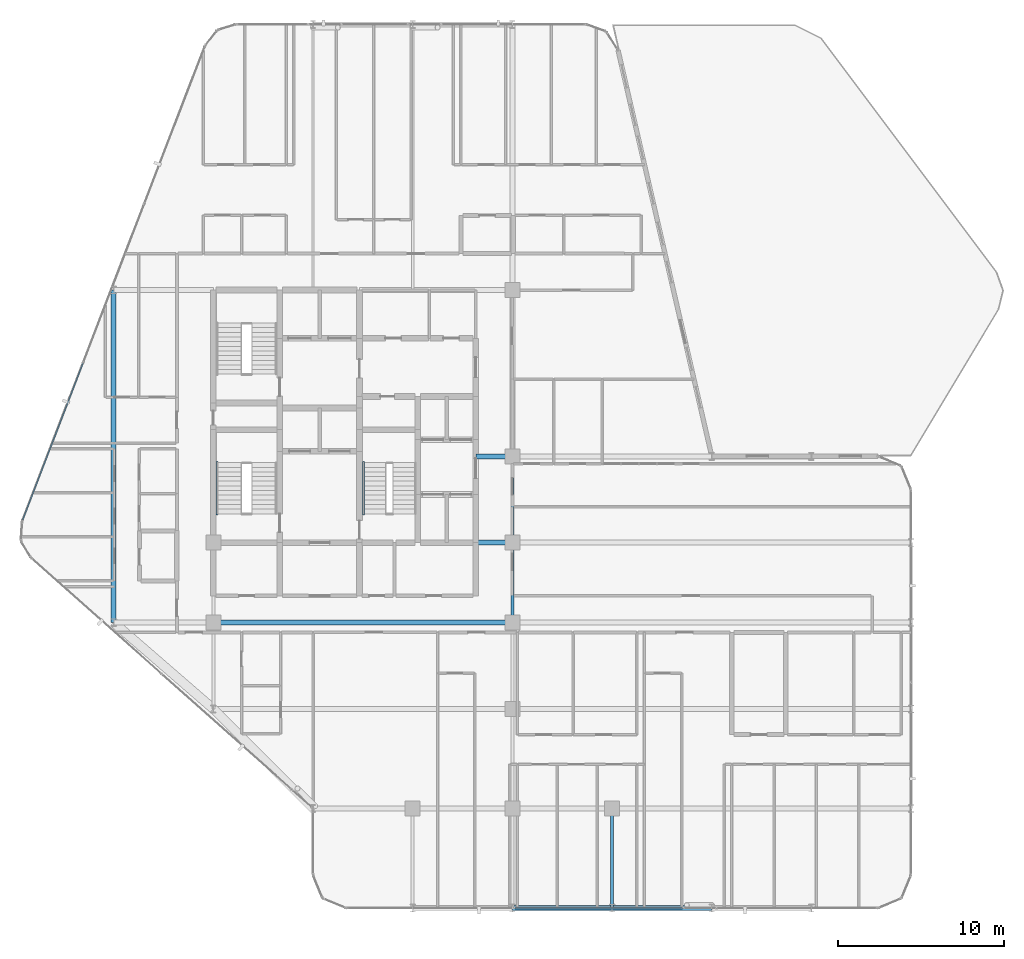
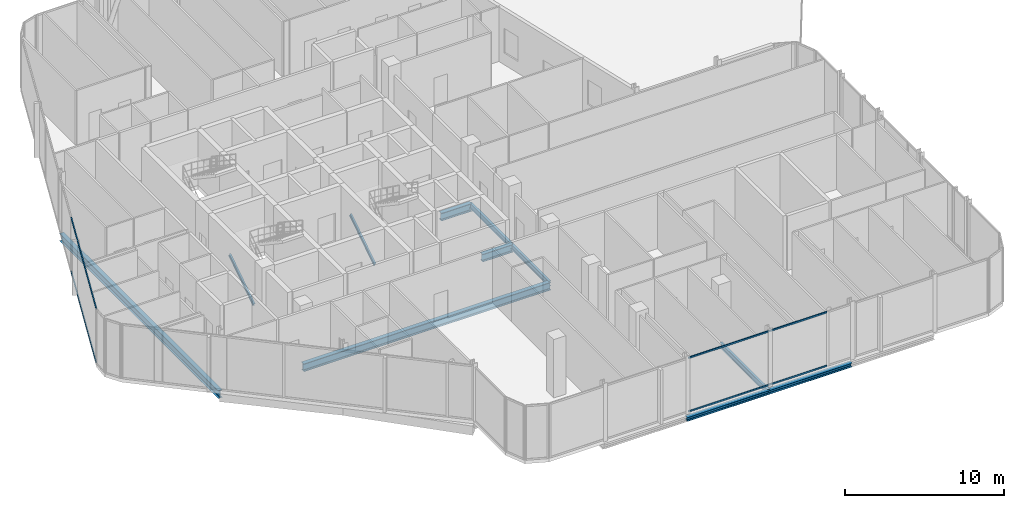
# One storey, part 9 of 28: 9 beams, 6 members, 2 elements without a shape of their own.
"""IFC4 building model written with IfcOpenShell, lengths in metres."""

from ifc_helpers import new_model, si_unit, direction, frame, origin, origin_2d, place, context, subcontext, project, spatial, hollow_rectangle, i_section, extrude, material, layer, layer_set, material_profile, profile_set, type_object, element, aggregate, save


model = new_model("IFC4")

# Units and contexts
model_context = context("Model", 3, precision=1e-05, world=origin(), true_north=direction((0.0, 1.0)))
body_context = subcontext(model_context, "Body", "Model", "MODEL_VIEW")
ifc_project = project(units=[si_unit("LENGTHUNIT", "METRE"), si_unit("AREAUNIT", "SQUARE_METRE"), si_unit("VOLUMEUNIT", "CUBIC_METRE"), si_unit("PLANEANGLEUNIT", "RADIAN"), si_unit("MASSUNIT", "GRAM", prefix="KILO")], contexts=[model_context])

# Site, building, storey
site_placement = place(None, origin())
site = spatial("IfcSite", under=ifc_project, at=site_placement, CompositionType="ELEMENT")
building_placement = place(site_placement, origin())
building = spatial("IfcBuilding", under=site, at=building_placement, Name="Keshet Zoharim Tower", CompositionType="ELEMENT")
storey_placement = place(building_placement, frame((0.0, 0.0, 164.60009765625)))
storey = spatial("IfcBuildingStorey", under=building, at=storey_placement, Name="L40", CompositionType="ELEMENT", Elevation=164.60009765625)

# Beams
ifc_material_1 = material(Name="Steel S355", Category="steel")
ifc_material_profile_1 = material_profile(ifc_material_1, i_section(OverallWidth=0.300048828125, OverallDepth=0.60009765625, WebThickness=0.015380859375, FlangeThickness=0.030029296875, FilletRadius=0.027099609375, at=origin_2d()), Name="HEB600")
ifc_profile_set_1 = profile_set([ifc_material_profile_1], Name="Steel S355")
beam_type_1 = type_object("IfcBeamType", Name="BM-CLK-HB600", PredefinedType="BEAM", material=ifc_profile_set_1)
for number, where, z_axis, x_axis, name in (
    (1, (30.800048828125, 22.699951171875, -0.610107421875), (1.0, 0.0, 0.0), (0.0, 1.0, 0.0), "L40 Core Wall Link Girder 01"),
    (2, (30.800048828125, 27.89990234375, -0.610107421875), (1.0, 0.0, 0.0), (0.0, 1.0, 0.0), "L40 Core Wall Link Girder 02"),
):
    element("IfcBeam", number, at=place(storey_placement, frame(where, z_axis=z_axis, x_axis=x_axis)), inside=storey, type_object=beam_type_1, Name=name, PredefinedType="BEAM", context=body_context, shape_type="SweptSolid", body=[
        extrude(i_section(OverallWidth=0.300048828125, OverallDepth=0.60009765625, WebThickness=0.015380859375, FlangeThickness=0.030029296875, FilletRadius=0.027099609375, at=origin_2d()), origin(), (0.0, 0.0, 1.0), 2.199951171875),
    ])
ifc_material_profile_2 = material_profile(ifc_material_1, i_section(OverallWidth=0.300048828125, OverallDepth=0.60009765625, WebThickness=0.015380859375, FlangeThickness=0.030029296875, FilletRadius=0.027099609375, at=origin_2d()), Name="HEB600")
ifc_profile_set_2 = profile_set([ifc_material_profile_2], Name="Steel S355")
beam_type_2 = type_object("IfcBeamType", Name="BM-LNG-HB600", PredefinedType="BEAM", material=ifc_profile_set_2)
beam_1_placement = place(storey_placement, frame((15.0, 17.89990234375, -0.610107421875), z_axis=(1.0, 0.0, 0.0), x_axis=(0.0, 1.0, 0.0)))
element("IfcBeam", 3, at=beam_1_placement, inside=storey, type_object=beam_type_2, Name="L40 Primary Girder X-012", PredefinedType="BEAM", context=body_context, shape_type="SweptSolid", body=[
    extrude(i_section(OverallWidth=0.300048828125, OverallDepth=0.60009765625, WebThickness=0.015380859375, FlangeThickness=0.030029296875, FilletRadius=0.027099609375, at=origin_2d()), origin(), (0.0, 0.0, 1.0), 18.0),
])
beam_2_placement = place(storey_placement, frame((9.0, 17.89990234375, -0.610107421875), z_axis=(0.0, 1.0, 0.0), x_axis=(-1.0, 0.0, 0.0)))
element("IfcBeam", 4, at=beam_2_placement, inside=storey, type_object=beam_type_2, Name="L40 Primary Girder Y-001", PredefinedType="BEAM", context=body_context, shape_type="SweptSolid", body=[
    extrude(i_section(OverallWidth=0.300048828125, OverallDepth=0.60009765625, WebThickness=0.015380859375, FlangeThickness=0.030029296875, FilletRadius=0.027099609375, at=origin_2d()), origin(), (0.0, 0.0, 1.0), 20.0),
])
ifc_material_profile_3 = material_profile(ifc_material_1, i_section(OverallWidth=0.300048828125, OverallDepth=0.300048828125, WebThickness=0.010986328125, FlangeThickness=0.01904296875, FilletRadius=0.027099609375, at=origin_2d()), Name="HEB300")
ifc_profile_set_3 = profile_set([ifc_material_profile_3], Name="Steel S355")
beam_type_3 = type_object("IfcBeamType", Name="BM-PRI-HB300", PredefinedType="BEAM", material=ifc_profile_set_3)
for number, where, z_axis, x_axis, name in (
    (5, (33.0, 0.699951171875, -0.460205078125), (1.0, 0.0, 0.0), (0.0, 1.0, 0.0), "L40 Primary Girder X-002"),
    (6, (39.0, 0.699951171875, -0.460205078125), (1.0, 0.0, 0.0), (0.0, 1.0, 0.0), "L40 Primary Girder X-003"),
):
    element("IfcBeam", number, at=place(storey_placement, frame(where, z_axis=z_axis, x_axis=x_axis)), inside=storey, type_object=beam_type_3, Name=name, PredefinedType="BEAM", context=body_context, shape_type="SweptSolid", body=[
        extrude(i_section(OverallWidth=0.300048828125, OverallDepth=0.300048828125, WebThickness=0.010986328125, FlangeThickness=0.01904296875, FilletRadius=0.027099609375, at=origin_2d()), origin(), (0.0, 0.0, 1.0), 6.0),
    ])
ifc_material_profile_4 = material_profile(ifc_material_1, i_section(OverallWidth=0.179931640625, OverallDepth=0.39990234375, WebThickness=0.008544921875, FlangeThickness=0.013427734375, FilletRadius=0.02099609375, at=origin_2d()), Name="IPE400")
ifc_profile_set_4 = profile_set([ifc_material_profile_4], Name="Steel S355")
beam_type_4 = type_object("IfcBeamType", Name="BM-PRI-IP400", PredefinedType="BEAM", material=ifc_profile_set_4)
beam_3_placement = place(storey_placement, frame((33.0, 17.89990234375, -0.510009765625), z_axis=(0.0, 1.0, 0.0), x_axis=(-1.0, 0.0, 0.0)))
element("IfcBeam", 7, at=beam_3_placement, inside=storey, type_object=beam_type_4, Name="L40 Primary Girder Y-008", PredefinedType="BEAM", context=body_context, shape_type="SweptSolid", body=[
    extrude(i_section(OverallWidth=0.179931640625, OverallDepth=0.39990234375, WebThickness=0.008544921875, FlangeThickness=0.013427734375, FilletRadius=0.02099609375, at=origin_2d()), origin(), (0.0, 0.0, 1.0), 4.800048828125),
])
beam_4_placement = place(storey_placement, frame((33.0, 22.699951171875, -0.510009765625), z_axis=(0.0, 1.0, 0.0), x_axis=(-1.0, 0.0, 0.0)))
element("IfcBeam", 8, at=beam_4_placement, inside=storey, type_object=beam_type_4, Name="L40 Primary Girder Y-009", PredefinedType="BEAM", context=body_context, shape_type="SweptSolid", body=[
    extrude(i_section(OverallWidth=0.179931640625, OverallDepth=0.39990234375, WebThickness=0.008544921875, FlangeThickness=0.013427734375, FilletRadius=0.02099609375, at=origin_2d()), origin(), (0.0, 0.0, 1.0), 5.199951171875),
])
beam_5_placement = place(storey_placement, frame((39.0, 0.699951171875, -0.510009765625), z_axis=(0.0, 1.0, 0.0), x_axis=(-1.0, 0.0, 0.0)))
element("IfcBeam", 9, at=beam_5_placement, inside=storey, type_object=beam_type_4, Name="L40 Primary Girder Y-012", PredefinedType="BEAM", context=body_context, shape_type="SweptSolid", body=[
    extrude(i_section(OverallWidth=0.179931640625, OverallDepth=0.39990234375, WebThickness=0.008544921875, FlangeThickness=0.013427734375, FilletRadius=0.02099609375, at=origin_2d()), origin(), (0.0, 0.0, 1.0), 6.0),
])

# Curtain wall, members
ifc_material_2 = material(Name="Aluminium 6063-T6", Category="aluminium")
ifc_layer = layer(ifc_material_2, 0.139892578125)
ifc_layer_set = layer_set([ifc_layer], Name="Aluminium 6063-T6")
curtain_wall_type = type_object("IfcCurtainWallType", Name="CW-SYS-05", PredefinedType="NOTDEFINED", material=ifc_layer_set)
curtain_wall_1_placement = place(storey_placement, origin())
curtain_wall_1 = element("IfcCurtainWall", 10, at=curtain_wall_1_placement, inside=storey, type_object=curtain_wall_type, Name="L40 Unitised Curtain Wall 06 Part 3", PredefinedType="NOTDEFINED")
ifc_material_profile_5 = material_profile(ifc_material_2, hollow_rectangle(XDim=0.074951171875, YDim=0.1201171875, WallThickness=0.00390625, at=origin_2d()), Name="TRN-75x120")
ifc_profile_set_5 = profile_set([ifc_material_profile_5], Name="Aluminium 6063-T6")
member_type_1 = type_object("IfcMemberType", Name="CWT-T12", PredefinedType="USERDEFINED", material=ifc_profile_set_5)
member_1_placement = place(storey_placement, frame((43.24755859375, 0.699951171875, 0.034912109375), z_axis=(-1.0, 0.0, 0.0), x_axis=(0.0, -1.0, 0.0)))
member_1 = element("IfcMember", 11, at=member_1_placement, type_object=member_type_1, Name="CW-05 transom 1.1", ObjectType="TRANSOM", PredefinedType="USERDEFINED", context=body_context, shape_type="SweptSolid", body=[
    extrude(hollow_rectangle(XDim=0.074951171875, YDim=0.1201171875, WallThickness=0.00390625, at=origin_2d()), origin(), (0.0, 0.0, 1.0), 10.0888671875),
])
member_2_placement = place(storey_placement, frame((43.24755859375, 0.699951171875, 4.15478515625), z_axis=(-1.0, 0.0, 0.0), x_axis=(0.0, -1.0, 0.0)))
member_2 = element("IfcMember", 12, at=member_2_placement, type_object=member_type_1, Name="CW-05 transom 1.2", ObjectType="TRANSOM", PredefinedType="USERDEFINED", context=body_context, shape_type="SweptSolid", body=[
    extrude(hollow_rectangle(XDim=0.074951171875, YDim=0.1201171875, WallThickness=0.00390625, at=origin_2d()), origin(), (0.0, 0.0, 1.0), 10.0888671875),
])
aggregate(curtain_wall_1, [member_1, member_2])

curtain_wall_2_placement = place(storey_placement, origin())
curtain_wall_2 = element("IfcCurtainWall", 13, at=curtain_wall_2_placement, inside=storey, type_object=curtain_wall_type, Name="L40 Unitised Curtain Wall 13", PredefinedType="NOTDEFINED")
member_3_placement = place(storey_placement, frame((3.522216796875, 24.058349609375, 0.034912109375), z_axis=(0.358993631387, 0.93334000912, 0.0), x_axis=(-0.93334000912, 0.358993631387, 0.0)))
member_3 = element("IfcMember", 14, at=member_3_placement, type_object=member_type_1, Name="CW-05 transom 1.1", ObjectType="TRANSOM", PredefinedType="USERDEFINED", context=body_context, shape_type="SweptSolid", body=[
    extrude(hollow_rectangle(XDim=0.074951171875, YDim=0.1201171875, WallThickness=0.00390625, at=origin_2d()), origin(), (0.0, 0.0, 1.0), 10.1181640625),
])
member_4_placement = place(storey_placement, frame((3.522216796875, 24.058349609375, 4.15478515625), z_axis=(0.358993631387, 0.93334000912, 0.0), x_axis=(-0.93334000912, 0.358993631387, 0.0)))
member_4 = element("IfcMember", 15, at=member_4_placement, type_object=member_type_1, Name="CW-05 transom 1.2", ObjectType="TRANSOM", PredefinedType="USERDEFINED", context=body_context, shape_type="SweptSolid", body=[
    extrude(hollow_rectangle(XDim=0.074951171875, YDim=0.1201171875, WallThickness=0.00390625, at=origin_2d()), origin(), (0.0, 0.0, 1.0), 10.1181640625),
])
aggregate(curtain_wall_2, [member_3, member_4])

# Members
ifc_material_profile_6 = material_profile(ifc_material_1, i_section(OverallWidth=0.1201171875, OverallDepth=0.239990234375, WebThickness=0.006103515625, FlangeThickness=0.009765625, FilletRadius=0.014892578125, at=origin_2d()), Name="IPE240")
ifc_profile_set_6 = profile_set([ifc_material_profile_6], Name="Steel S355")
member_type_2 = type_object("IfcMemberType", Name="MB-STRG-IP240", PredefinedType="STRINGER", material=ifc_profile_set_6)
for number, where, z_axis, x_axis, name in (
    (16, (15.22998046875, 24.43994140625, 0.119873046875), (0.0, 0.837453415268, 0.546508716542), (-1.0, 0.0, 0.0), "L40 ST-01 Flight Steel Stringer"),
    (17, (24.030029296875, 24.43994140625, 0.119873046875), (0.0, 0.837453415268, 0.546508716542), (-1.0, 0.0, 0.0), "L40 ST-03 Flight Steel Stringer"),
):
    element("IfcMember", number, at=place(storey_placement, frame(where, z_axis=z_axis, x_axis=x_axis)), inside=storey, type_object=member_type_2, Name=name, PredefinedType="STRINGER", context=body_context, shape_type="SweptSolid", body=[
        extrude(i_section(OverallWidth=0.1201171875, OverallDepth=0.239990234375, WebThickness=0.006103515625, FlangeThickness=0.009765625, FilletRadius=0.014892578125, at=origin_2d()), origin(), (0.0, 0.0, 1.0), 3.677978515625),
    ])

save(model, "model.ifc")
